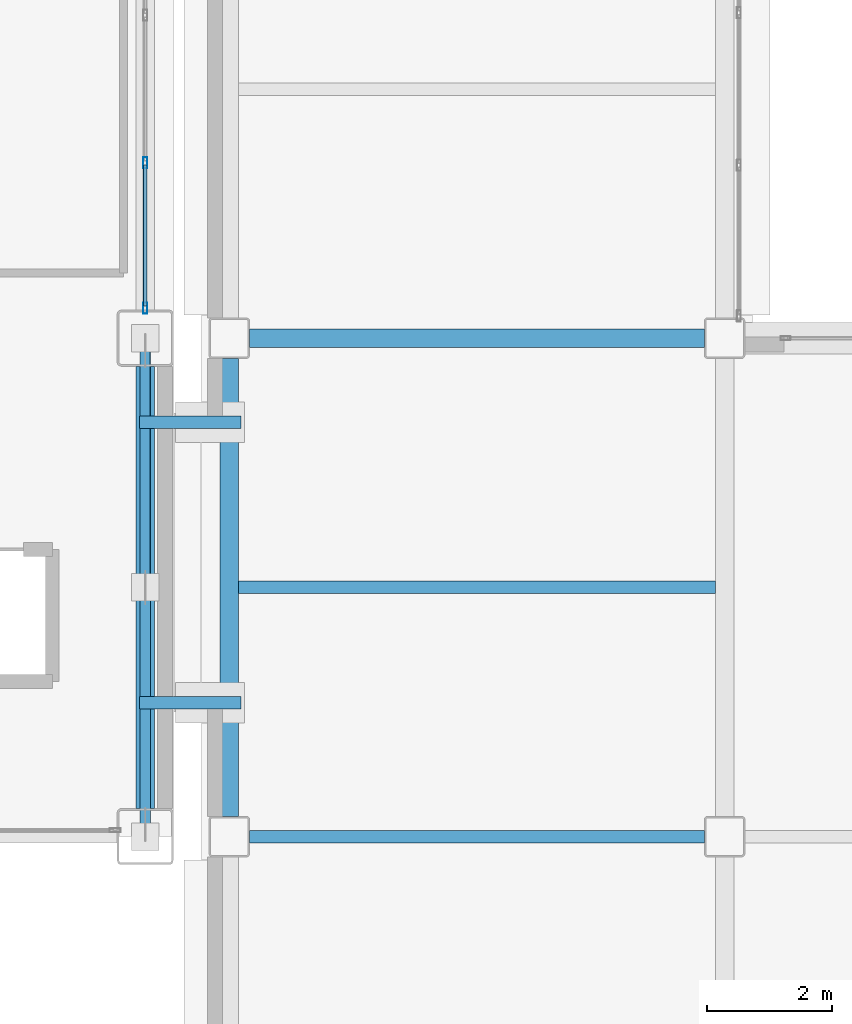
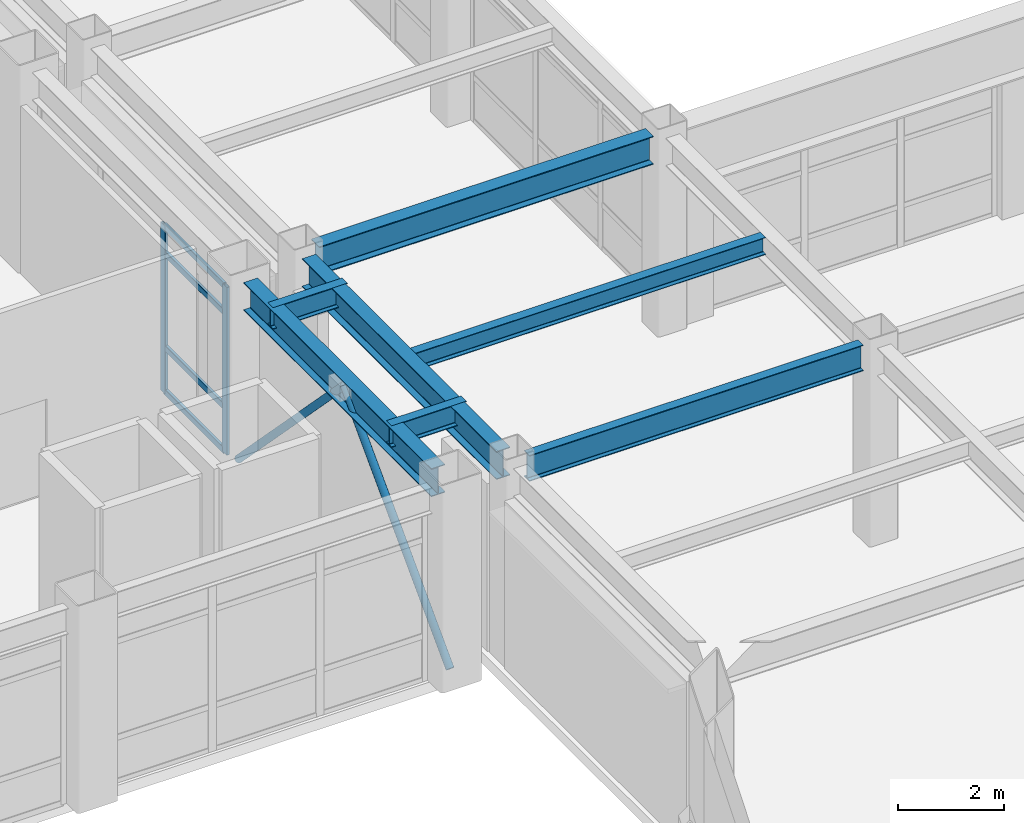
# One storey, part 38 of 172: 8 members, 7 beams, 1 element without a shape of its own.
"""IFC4 building model written with IfcOpenShell, lengths in metres."""

import ifcopenshell
import ifcopenshell.guid

model = None  # the IFC model being written
_history = None  # IfcOwnerHistory: only IFC2X3 demands one
_inside = {}  # id of a spatial element -> (the spatial element, [elements in it])
_under = {}  # id of a project, library or spatial element -> (it, [spatial elements below it])
_declared = {}  # id of a project -> (the project, [libraries it declares])
_typed = {}  # id of a type object -> (the type object, [elements of that type])
_made_of = {}  # id of a material, layer set ... -> (it, [elements and type objects made of it])


def new_model(schema):
    """Start an empty IFC model of exactly this schema.

    Asked for "IFC4X3", IfcOpenShell would pick the latest addendum, in which some entities
    have other attributes; the version numbers below select the first issue.
    IFC2X3 requires an IfcOwnerHistory on every rooted entity: one is made here for all.
    """
    global model, _history
    if schema == "IFC4X3":
        model = ifcopenshell.file(schema_version=(4, 3, 0, 0))
    else:
        model = ifcopenshell.file(schema=schema)
    _inside.clear()
    _under.clear()
    _declared.clear()
    _typed.clear()
    _made_of.clear()
    _history = None
    if model.schema == "IFC2X3":
        org = make("IfcOrganization", Name="unknown")
        user = make(
            "IfcPersonAndOrganization",
            ThePerson=make("IfcPerson", FamilyName="unknown"),
            TheOrganization=org,
        )
        app = make(
            "IfcApplication",
            ApplicationDeveloper=org,
            Version="unknown",
            ApplicationFullName="unknown",
            ApplicationIdentifier="unknown",
        )
        _history = make(
            "IfcOwnerHistory",
            OwningUser=user,
            OwningApplication=app,
            ChangeAction="ADDED",
            CreationDate=0,
        )
    return model


def make(cls, **values):
    """One entity of the class cls with the attributes given. An attribute that is None is left unset."""
    return model.create_entity(
        cls, **{name: value for name, value in values.items() if value is not None}
    )


def rooted(cls, **values):
    """An entity with a GlobalId (a new one), such as an element, a storey or a relation."""
    return make(cls, GlobalId=ifcopenshell.guid.new(), OwnerHistory=_history, **values)


def si_unit(unit_type, name, prefix=None):
    """IfcSIUnit, for example si_unit("LENGTHUNIT", "METRE", prefix="MILLI")."""
    return make("IfcSIUnit", UnitType=unit_type, Prefix=prefix, Name=name)


def assignment(units):
    """IfcUnitAssignment: the units of a project."""
    return None if units is None else make("IfcUnitAssignment", Units=units)


def point(xyz):
    """IfcCartesianPoint."""
    return None if xyz is None else make("IfcCartesianPoint", Coordinates=xyz)


def direction(xyz):
    """IfcDirection."""
    return None if xyz is None else make("IfcDirection", DirectionRatios=xyz)


def frame(location, z_axis=None, x_axis=None):
    """IfcAxis2Placement3D, a coordinate frame: its origin and axes. An axis left out is left unset."""
    return make(
        "IfcAxis2Placement3D",
        Location=point(location),
        Axis=direction(z_axis),
        RefDirection=direction(x_axis),
    )


def frame_2d(location, x_axis=None):
    """IfcAxis2Placement2D, a coordinate frame in the plane: its origin and x axis."""
    return make(
        "IfcAxis2Placement2D", Location=point(location), RefDirection=direction(x_axis)
    )


def origin():
    """The frame at (0, 0, 0) with its axes left unset."""
    return frame((0.0, 0.0, 0.0))


def origin_2d():
    """The frame at (0, 0) in the plane with its x axis left unset."""
    return frame_2d((0.0, 0.0))


def place(relative_to, where):
    """IfcLocalPlacement: puts the frame where relative to a parent placement (None: the world)."""
    return make(
        "IfcLocalPlacement", PlacementRelTo=relative_to, RelativePlacement=where
    )


def context(
    kind, dimensions, precision=None, world=None, true_north=None, identifier=None
):
    """IfcGeometricRepresentationContext, for example the 3D "Model" context."""
    return make(
        "IfcGeometricRepresentationContext",
        ContextIdentifier=identifier,
        ContextType=kind,
        CoordinateSpaceDimension=dimensions,
        Precision=precision,
        WorldCoordinateSystem=world,
        TrueNorth=true_north,
    )


def subcontext(parent, identifier, kind, view, scale=None):
    """IfcGeometricRepresentationSubContext, for example "Body" below "Model"."""
    return make(
        "IfcGeometricRepresentationSubContext",
        ContextIdentifier=identifier,
        ContextType=kind,
        ParentContext=parent,
        TargetScale=scale,
        TargetView=view,
    )


def project(units=None, contexts=None):
    """IfcProject with its units and contexts."""
    return rooted(
        "IfcProject",
        Name="project",
        RepresentationContexts=contexts,
        UnitsInContext=assignment(units),
    )


def spatial(cls, under=None, at=None, **own):
    """A site, building, storey or space (cls), placed at a placement, below another one or the project."""
    s = rooted(cls, ObjectPlacement=at, **own)
    if under is not None:
        _under.setdefault(under.id(), (under, []))[1].append(s)
    return s


def profile(cls, at=None, kind="AREA", **sizes):
    """A parametric profile (cls). Its sizes go by their IFC names, for example OverallWidth=200.0."""
    return make(cls, ProfileType=kind, Position=at, **sizes)


def hollow_rectangle(**sizes):
    """IfcRectangleHollowProfileDef."""
    return profile("IfcRectangleHollowProfileDef", **sizes)


def hollow_circle(**sizes):
    """IfcCircleHollowProfileDef."""
    return profile("IfcCircleHollowProfileDef", **sizes)


def i_section(**sizes):
    """IfcIShapeProfileDef."""
    return profile("IfcIShapeProfileDef", **sizes)


def extrude(swept, where, along, depth):
    """IfcExtrudedAreaSolid: the profile swept, set in the frame where, extruded along a direction by depth."""
    return make(
        "IfcExtrudedAreaSolid",
        SweptArea=swept,
        Position=where,
        ExtrudedDirection=direction(along),
        Depth=depth,
    )


def shape(context_of_items, identifier, shape_type, items):
    """IfcShapeRepresentation: the items that make up one representation, for example the "Body"."""
    return make(
        "IfcShapeRepresentation",
        ContextOfItems=context_of_items,
        RepresentationIdentifier=identifier,
        RepresentationType=shape_type,
        Items=items,
    )


def material(Name=None, Category=None):
    """IfcMaterial."""
    return make("IfcMaterial", Name=Name, Category=Category)


def layer(
    of_material, thickness, ventilated=None, Name=None, Category=None, Priority=None
):
    """IfcMaterialLayer: one layer of a wall or slab, of a material (None: an air gap)."""
    return make(
        "IfcMaterialLayer",
        Material=of_material,
        LayerThickness=thickness,
        IsVentilated=ventilated,
        Name=Name,
        Category=Category,
        Priority=Priority,
    )


def layer_set(layers, Name=None):
    """IfcMaterialLayerSet."""
    return make("IfcMaterialLayerSet", MaterialLayers=layers, LayerSetName=Name)


def material_profile(
    of_material, cross_section, Name=None, Category=None, Priority=None
):
    """IfcMaterialProfile: a cross section and its material."""
    return make(
        "IfcMaterialProfile",
        Name=Name,
        Material=of_material,
        Profile=cross_section,
        Priority=Priority,
        Category=Category,
    )


def profile_set(profiles, Name=None, composite=None):
    """IfcMaterialProfileSet."""
    return make(
        "IfcMaterialProfileSet",
        Name=Name,
        MaterialProfiles=profiles,
        CompositeProfile=composite,
    )


def made_of(thing, what):
    """Note that an element or type object is made of a material, layer set ...; save() writes the relation."""
    if what is not None:
        _made_of.setdefault(what.id(), (what, []))[1].append(thing)
    return thing


def type_object(cls, material=None, **own):
    """A type object (cls), such as IfcWallType, which elements share."""
    return made_of(rooted(cls, **own), material)


def element(
    cls,
    number,
    at=None,
    inside=None,
    cuts=None,
    type_object=None,
    material=None,
    context=None,
    identifier="Body",
    shape_type=None,
    held_by="IfcProductDefinitionShape",
    body=None,
    shapes=None,
    **own,
):
    """One element of the class cls, such as IfcWall. Its Tag is "e" and its number.

    at: its placement. inside: the storey or other place that contains it. cuts: it is an
    opening in that element (IfcRelVoidsElement). A single representation is given by context,
    identifier, shape_type and body (its items); several are given by shapes. held_by: the class
    of the entity that holds the representations. save() writes the other relations.
    """
    e = rooted(cls, Tag="e%d" % number, ObjectPlacement=at, **own)
    if body is not None:
        shapes = [shape(context, identifier, shape_type, body)]
    if shapes is not None:
        e.Representation = make(held_by, Representations=shapes)
    if inside is not None:
        _inside.setdefault(inside.id(), (inside, []))[1].append(e)
    if cuts is not None:
        rooted(
            "IfcRelVoidsElement", RelatingBuildingElement=cuts, RelatedOpeningElement=e
        )
    if type_object is not None:
        _typed.setdefault(type_object.id(), (type_object, []))[1].append(e)
    return made_of(e, material)


def aggregate(whole, parts):
    """IfcRelAggregates: a whole, such as a stair, and the parts it consists of."""
    return rooted("IfcRelAggregates", RelatingObject=whole, RelatedObjects=parts)


def save(model, path):
    """Write the relations noted so far, then the file.

    IfcRelAggregates (storeys below a building ...), IfcRelContainedInSpatialStructure (elements
    in a storey), IfcRelDefinesByType, IfcRelAssociatesMaterial and IfcRelDeclares: one each for
    every whole, place, type object, material and project.
    """
    for whole, parts in _under.values():
        aggregate(whole, parts)
    for where, things in _inside.values():
        rooted(
            "IfcRelContainedInSpatialStructure",
            RelatedElements=things,
            RelatingStructure=where,
        )
    for kind, things in _typed.values():
        rooted("IfcRelDefinesByType", RelatedObjects=things, RelatingType=kind)
    for what, things in _made_of.values():
        rooted("IfcRelAssociatesMaterial", RelatedObjects=things, RelatingMaterial=what)
    for by, libraries in _declared.values():
        rooted("IfcRelDeclares", RelatingContext=by, RelatedDefinitions=libraries)
    model.write(path)


model = new_model("IFC4")

# Units and contexts
model_context = context("Model", 3, precision=1e-05, world=origin(), true_north=direction((0.0, 1.0)))
body_context = subcontext(model_context, "Body", "Model", "MODEL_VIEW")
ifc_project = project(units=[si_unit("LENGTHUNIT", "METRE"), si_unit("AREAUNIT", "SQUARE_METRE"), si_unit("VOLUMEUNIT", "CUBIC_METRE"), si_unit("PLANEANGLEUNIT", "RADIAN"), si_unit("MASSUNIT", "GRAM", prefix="KILO")], contexts=[model_context])

# Site, building, storey
site_placement = place(None, origin())
site = spatial("IfcSite", under=ifc_project, at=site_placement, CompositionType="ELEMENT")
building_placement = place(site_placement, origin())
building = spatial("IfcBuilding", under=site, at=building_placement, Name="Kazehara Bluff Congress Hotel", CompositionType="ELEMENT")
storey_placement = place(building_placement, frame((0.0, 0.0, 5.39990234375)))
storey = spatial("IfcBuildingStorey", under=building, at=storey_placement, Name="L01", CompositionType="ELEMENT", Elevation=5.39990234375)

# Members
ifc_material_1 = material(Name="Steel STK490", Category="steel")
ifc_material_profile_1 = material_profile(ifc_material_1, hollow_circle(Radius=0.08251953125, WallThickness=0.007080078125, at=origin_2d()))
ifc_profile_set_1 = profile_set([ifc_material_profile_1], Name="Steel STK490")
member_type_1 = type_object("IfcMemberType", Name="TP-BR-02", PredefinedType="BRACE", material=ifc_profile_set_1)
for number, where, z_axis, x_axis, name in (
    (1, (58.35009765625, 48.449951171875, 0.150146484375), (0.0, 0.696145836074, 0.717900393451), (-1.0, 0.0, 0.0), "L01 chevron brace BR-02 7"),
    (2, (58.35009765625, 56.449951171875, 0.150146484375), (0.0, -0.696145836074, 0.717900393451), (1.0, 0.0, 0.0), "L01 chevron brace BR-02 8"),
):
    element("IfcMember", number, at=place(storey_placement, frame(where, z_axis=z_axis, x_axis=x_axis)), inside=storey, type_object=member_type_1, Name=name, PredefinedType="BRACE", context=body_context, shape_type="SweptSolid", body=[
        extrude(hollow_circle(Radius=0.08251953125, WallThickness=0.007080078125, at=origin_2d()), origin(), (0.0, 0.0, 1.0), 5.745849609375),
    ])

# Curtain wall, members
ifc_material_2 = material(Name="Anodised aluminium", Category="aluminium")
ifc_layer = layer(ifc_material_2, 0.159912109375)
ifc_layer_set = layer_set([ifc_layer], Name="Anodised aluminium")
curtain_wall_type = type_object("IfcCurtainWallType", Name="TP-CW-20", PredefinedType="NOTDEFINED", material=ifc_layer_set)
curtain_wall_placement = place(storey_placement, origin())
curtain_wall = element("IfcCurtainWall", 3, at=curtain_wall_placement, inside=storey, type_object=curtain_wall_type, Name="L01 curtain wall CW-20 CW-V1-L01-X5835-5690", PredefinedType="NOTDEFINED")
ifc_material_3 = material(Name="Anodised aluminium", Category="aluminium")
ifc_material_profile_2 = material_profile(ifc_material_3, hollow_rectangle(XDim=0.06494140625, YDim=0.179931640625, WallThickness=0.00390625, InnerFilletRadius=0.00390625, OuterFilletRadius=0.008056640625, at=origin_2d()))
ifc_profile_set_2 = profile_set([ifc_material_profile_2], Name="Anodised aluminium")
member_type_2 = type_object("IfcMemberType", Name="TP-CWM-02", PredefinedType="MULLION", material=ifc_profile_set_2)
member_1_placement = place(storey_placement, frame((58.35009765625, 56.9326171875, 0.0), z_axis=(0.0, 0.0, 1.0), x_axis=(-1.0, 0.0, 0.0)))
member_1 = element("IfcMember", 4, at=member_1_placement, type_object=member_type_2, Name="CW-20 mullion 1", PredefinedType="MULLION", context=body_context, shape_type="SweptSolid", body=[
    extrude(hollow_rectangle(XDim=0.06494140625, YDim=0.179931640625, WallThickness=0.00390625, InnerFilletRadius=0.00390625, OuterFilletRadius=0.008056640625, at=origin_2d()), origin(), (0.0, 0.0, 1.0), 3.875),
])
member_2_placement = place(storey_placement, frame((58.35009765625, 59.2666015625, 0.0), z_axis=(0.0, 0.0, 1.0), x_axis=(-1.0, 0.0, 0.0)))
member_2 = element("IfcMember", 5, at=member_2_placement, type_object=member_type_2, Name="CW-20 mullion 2", PredefinedType="MULLION", context=body_context, shape_type="SweptSolid", body=[
    extrude(hollow_rectangle(XDim=0.06494140625, YDim=0.179931640625, WallThickness=0.00390625, InnerFilletRadius=0.00390625, OuterFilletRadius=0.008056640625, at=origin_2d()), origin(), (0.0, 0.0, 1.0), 3.875),
])
ifc_material_4 = material(Name="Anodised aluminium", Category="aluminium")
ifc_material_profile_3 = material_profile(ifc_material_4, hollow_rectangle(XDim=0.06494140625, YDim=0.139892578125, WallThickness=0.00390625, InnerFilletRadius=0.00390625, OuterFilletRadius=0.008056640625, at=origin_2d()))
ifc_profile_set_3 = profile_set([ifc_material_profile_3], Name="Anodised aluminium")
member_type_3 = type_object("IfcMemberType", Name="TP-CWT-02", PredefinedType="USERDEFINED", material=ifc_profile_set_3)
member_3_placement = place(storey_placement, frame((58.35009765625, 56.965087890625, 0.03271484375), z_axis=(0.0, 1.0, 0.0), x_axis=(-1.0, 0.0, 0.0)))
member_3 = element("IfcMember", 6, at=member_3_placement, type_object=member_type_3, Name="CW-20 transom 1.1", ObjectType="TRANSOM", PredefinedType="USERDEFINED", context=body_context, shape_type="SweptSolid", body=[
    extrude(hollow_rectangle(XDim=0.06494140625, YDim=0.139892578125, WallThickness=0.00390625, InnerFilletRadius=0.00390625, OuterFilletRadius=0.008056640625, at=origin_2d()), origin(), (0.0, 0.0, 1.0), 2.26904296875),
])
member_4_placement = place(storey_placement, frame((58.35009765625, 56.965087890625, 1.050048828125), z_axis=(0.0, 1.0, 0.0), x_axis=(-1.0, 0.0, 0.0)))
member_4 = element("IfcMember", 7, at=member_4_placement, type_object=member_type_3, Name="CW-20 transom 1.2", ObjectType="TRANSOM", PredefinedType="USERDEFINED", context=body_context, shape_type="SweptSolid", body=[
    extrude(hollow_rectangle(XDim=0.06494140625, YDim=0.139892578125, WallThickness=0.00390625, InnerFilletRadius=0.00390625, OuterFilletRadius=0.008056640625, at=origin_2d()), origin(), (0.0, 0.0, 1.0), 2.26904296875),
])
member_5_placement = place(storey_placement, frame((58.35009765625, 56.965087890625, 3.22509765625), z_axis=(0.0, 1.0, 0.0), x_axis=(-1.0, 0.0, 0.0)))
member_5 = element("IfcMember", 8, at=member_5_placement, type_object=member_type_3, Name="CW-20 transom 1.3", ObjectType="TRANSOM", PredefinedType="USERDEFINED", context=body_context, shape_type="SweptSolid", body=[
    extrude(hollow_rectangle(XDim=0.06494140625, YDim=0.139892578125, WallThickness=0.00390625, InnerFilletRadius=0.00390625, OuterFilletRadius=0.008056640625, at=origin_2d()), origin(), (0.0, 0.0, 1.0), 2.26904296875),
])
member_6_placement = place(storey_placement, frame((58.35009765625, 56.965087890625, 3.842529296875), z_axis=(0.0, 1.0, 0.0), x_axis=(-1.0, 0.0, 0.0)))
member_6 = element("IfcMember", 9, at=member_6_placement, type_object=member_type_3, Name="CW-20 transom 1.4", ObjectType="TRANSOM", PredefinedType="USERDEFINED", context=body_context, shape_type="SweptSolid", body=[
    extrude(hollow_rectangle(XDim=0.06494140625, YDim=0.139892578125, WallThickness=0.00390625, InnerFilletRadius=0.00390625, OuterFilletRadius=0.008056640625, at=origin_2d()), origin(), (0.0, 0.0, 1.0), 2.26904296875),
])
aggregate(curtain_wall, [member_1, member_2, member_3, member_4, member_5, member_6])

# Beams
ifc_material_5 = material(Name="Steel SN490B", Category="steel")
ifc_material_profile_4 = material_profile(ifc_material_5, i_section(OverallWidth=0.199951171875, OverallDepth=0.5, WebThickness=0.010009765625, FlangeThickness=0.01611328125, FilletRadius=0.012939453125, at=origin_2d()))
ifc_profile_set_4 = profile_set([ifc_material_profile_4], Name="Steel SN490B")
beam_type_1 = type_object("IfcBeamType", Name="TP-G-01", PredefinedType="BEAM", material=ifc_profile_set_4)
for number, where, z_axis, x_axis, name in (
    (10, (58.260009765625, 50.60009765625, 4.300048828125), (1.0, 0.0, 0.0), (0.0, 1.0, 0.0), "Bridge link beam BRG-14 L02-1"),
    (11, (58.260009765625, 55.10009765625, 4.300048828125), (1.0, 0.0, 0.0), (0.0, 1.0, 0.0), "Bridge link beam BRG-14 L02-2"),
):
    element("IfcBeam", number, at=place(storey_placement, frame(where, z_axis=z_axis, x_axis=x_axis)), inside=storey, type_object=beam_type_1, Name=name, PredefinedType="BEAM", context=body_context, shape_type="SweptSolid", body=[
        extrude(i_section(OverallWidth=0.199951171875, OverallDepth=0.5, WebThickness=0.010009765625, FlangeThickness=0.01611328125, FilletRadius=0.012939453125, at=origin_2d()), origin(), (0.0, 0.0, 1.0), 1.6298828125),
    ])
ifc_material_6 = material(Name="Steel SN490B", Category="steel")
ifc_material_profile_5 = material_profile(ifc_material_6, i_section(OverallWidth=0.300048828125, OverallDepth=0.64990234375, WebThickness=0.011962890625, FlangeThickness=0.02001953125, FilletRadius=0.012939453125, at=origin_2d()))
ifc_profile_set_5 = profile_set([ifc_material_profile_5], Name="Steel SN490B")
beam_type_2 = type_object("IfcBeamType", Name="TP-G-03", PredefinedType="BEAM", material=ifc_profile_set_5)
beam_1_placement = place(storey_placement, frame((58.35009765625, 48.89990234375, 4.22509765625), z_axis=(0.0, 1.0, 0.0), x_axis=(-1.0, 0.0, 0.0)))
element("IfcBeam", 12, at=beam_1_placement, inside=storey, type_object=beam_type_2, Name="L01 girder G-03 17", PredefinedType="BEAM", context=body_context, shape_type="SweptSolid", body=[
    extrude(i_section(OverallWidth=0.300048828125, OverallDepth=0.64990234375, WebThickness=0.011962890625, FlangeThickness=0.02001953125, FilletRadius=0.012939453125, at=origin_2d()), origin(), (0.0, 0.0, 1.0), 7.10009765625),
])
beam_2_placement = place(storey_placement, frame((59.699951171875, 48.77490234375, 4.22509765625), z_axis=(0.0, 1.0, 0.0), x_axis=(-1.0, 0.0, 0.0)))
element("IfcBeam", 13, at=beam_2_placement, inside=storey, type_object=beam_type_2, Name="L01 girder G-03 152", PredefinedType="BEAM", context=body_context, shape_type="SweptSolid", body=[
    extrude(i_section(OverallWidth=0.300048828125, OverallDepth=0.64990234375, WebThickness=0.011962890625, FlangeThickness=0.02001953125, FilletRadius=0.012939453125, at=origin_2d()), origin(), (0.0, 0.0, 1.0), 7.35009765625),
])
beam_3_placement = place(storey_placement, frame((60.02490234375, 56.449951171875, 4.22509765625), z_axis=(1.0, 0.0, 0.0), x_axis=(0.0, 1.0, 0.0)))
element("IfcBeam", 14, at=beam_3_placement, inside=storey, type_object=beam_type_2, Name="L01 girder G-03 215", PredefinedType="BEAM", context=body_context, shape_type="SweptSolid", body=[
    extrude(i_section(OverallWidth=0.300048828125, OverallDepth=0.64990234375, WebThickness=0.011962890625, FlangeThickness=0.02001953125, FilletRadius=0.012939453125, at=origin_2d()), origin(), (0.0, 0.0, 1.0), 7.300048828125),
])
ifc_material_7 = material(Name="Steel SN400B", Category="steel")
ifc_material_profile_6 = material_profile(ifc_material_7, i_section(OverallWidth=0.199951171875, OverallDepth=0.39990234375, WebThickness=0.008056640625, FlangeThickness=0.012939453125, FilletRadius=0.012939453125, at=origin_2d()))
ifc_profile_set_6 = profile_set([ifc_material_profile_6], Name="Steel SN400B")
beam_type_3 = type_object("IfcBeamType", Name="TP-J-03", PredefinedType="JOIST", material=ifc_profile_set_6)
beam_4_placement = place(storey_placement, frame((59.85009765625, 52.449951171875, 4.35009765625), z_axis=(1.0, 0.0, 0.0), x_axis=(0.0, 1.0, 0.0)))
element("IfcBeam", 15, at=beam_4_placement, inside=storey, type_object=beam_type_3, Name="L01 secondary joist J-03 36", PredefinedType="JOIST", context=body_context, shape_type="SweptSolid", body=[
    extrude(i_section(OverallWidth=0.199951171875, OverallDepth=0.39990234375, WebThickness=0.008056640625, FlangeThickness=0.012939453125, FilletRadius=0.012939453125, at=origin_2d()), origin(), (0.0, 0.0, 1.0), 7.64990234375),
])
ifc_material_8 = material(Name="Steel SN490B", Category="steel")
ifc_material_profile_7 = material_profile(ifc_material_8, i_section(OverallWidth=0.199951171875, OverallDepth=0.60009765625, WebThickness=0.010986328125, FlangeThickness=0.01708984375, FilletRadius=0.012939453125, at=origin_2d()))
ifc_profile_set_7 = profile_set([ifc_material_profile_7], Name="Steel SN490B")
beam_type_4 = type_object("IfcBeamType", Name="TP-SP-02", PredefinedType="SPANDREL", material=ifc_profile_set_7)
beam_5_placement = place(storey_placement, frame((60.02490234375, 48.449951171875, 4.25), z_axis=(1.0, 0.0, 0.0), x_axis=(0.0, 1.0, 0.0)))
element("IfcBeam", 16, at=beam_5_placement, inside=storey, type_object=beam_type_4, Name="L01 girder SP-02 209", PredefinedType="SPANDREL", context=body_context, shape_type="SweptSolid", body=[
    extrude(i_section(OverallWidth=0.199951171875, OverallDepth=0.60009765625, WebThickness=0.010986328125, FlangeThickness=0.01708984375, FilletRadius=0.012939453125, at=origin_2d()), origin(), (0.0, 0.0, 1.0), 7.300048828125),
])

save(model, "model.ifc")
